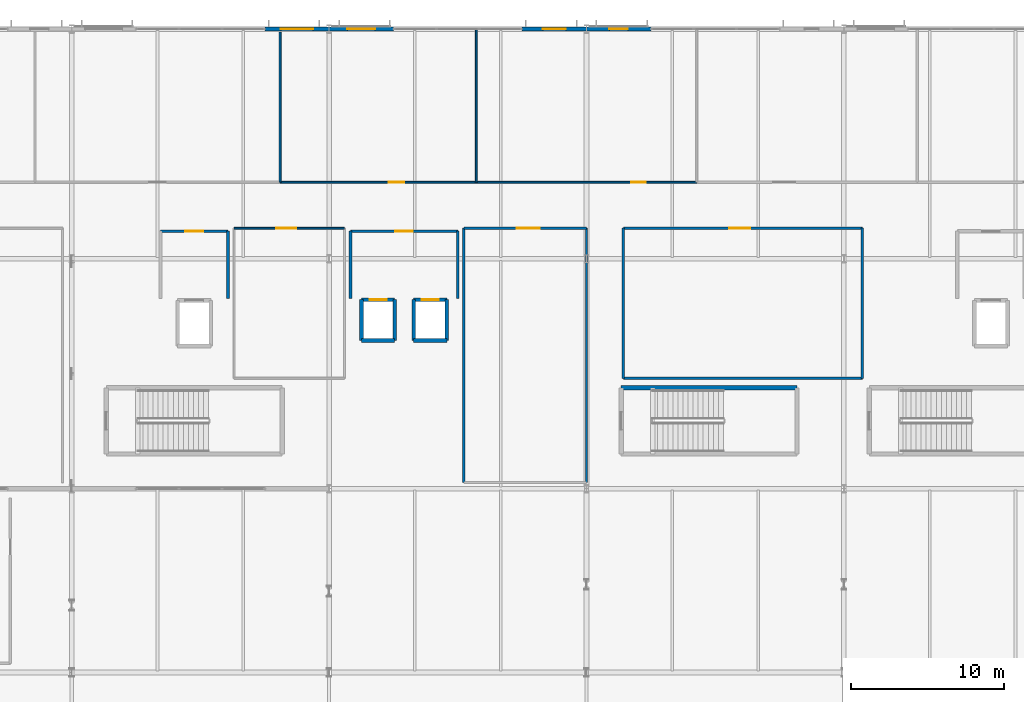
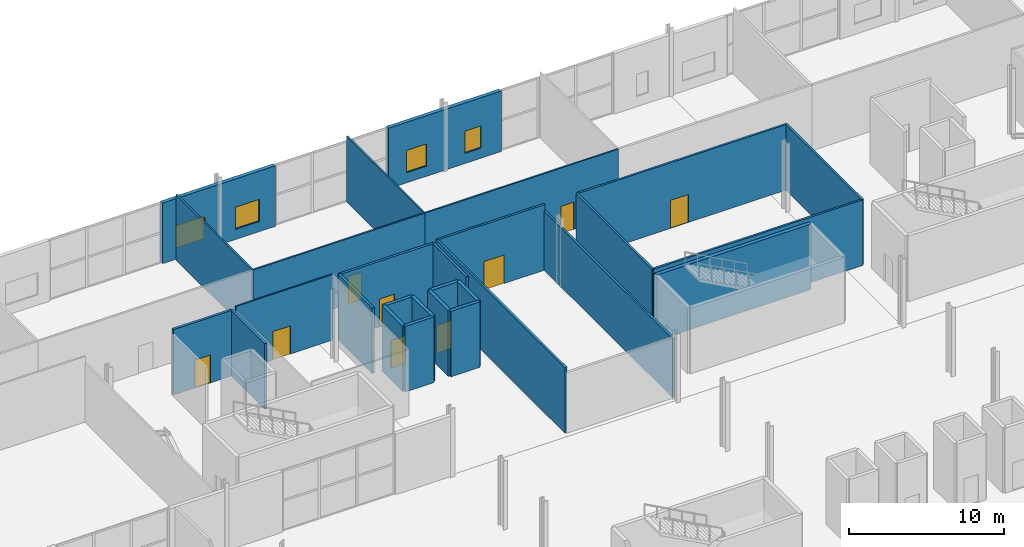
# One storey, part 63 of 84: 30 walls, 9 doors, 4 windows, 13 openings.
"""IFC4 building model written with IfcOpenShell, lengths in metres."""

from ifc_helpers import new_model, si_unit, direction, frame, frame_2d, origin, place, context, subcontext, project, spatial, rectangle, extrude, material, layer, layer_set, type_object, element, fill, save


model = new_model("IFC4")

# Units and contexts
model_context = context("Model", 3, precision=1e-05, world=origin(), true_north=direction((0.0, 1.0)))
body_context = subcontext(model_context, "Body", "Model", "MODEL_VIEW")
ifc_project = project(units=[si_unit("LENGTHUNIT", "METRE"), si_unit("AREAUNIT", "SQUARE_METRE"), si_unit("VOLUMEUNIT", "CUBIC_METRE"), si_unit("PLANEANGLEUNIT", "RADIAN"), si_unit("MASSUNIT", "GRAM", prefix="KILO")], contexts=[model_context])

# Site, building, storey
site_placement = place(None, origin())
site = spatial("IfcSite", under=ifc_project, at=site_placement, CompositionType="ELEMENT")
building_placement = place(site_placement, origin())
building = spatial("IfcBuilding", under=site, at=building_placement, Name="Kimbaza Rail Terminus", CompositionType="ELEMENT")
storey_placement = place(building_placement, frame((0.0, 0.0, 5.39990234375)))
storey = spatial("IfcBuildingStorey", under=building, at=storey_placement, Name="L01", CompositionType="ELEMENT", Elevation=5.39990234375)

# Wall, opening, window
ifc_material_1 = material(Name="Precast concrete C40/50", Category="concrete")
ifc_layer_1 = layer(ifc_material_1, 0.280029296875)
ifc_layer_set_1 = layer_set([ifc_layer_1], Name="Precast concrete C40/50")
wall_type_1 = type_object("IfcWallType", Name="ARC-WL-EXT280", PredefinedType="STANDARD", material=ifc_layer_set_1)
wall_1_placement = place(storey_placement, frame((84.60009765625, 133.0, 0.0), z_axis=(0.0, 0.0, 1.0), x_axis=(1.0, 0.0, 0.0)))
wall_1 = element("IfcWall", 1, at=wall_1_placement, inside=storey, type_object=wall_type_1, Name="Operations North Pier L01 1B", PredefinedType="STANDARD", context=body_context, shape_type="SweptSolid", body=[
    extrude(rectangle(XDim=4.199951171875, YDim=0.280029296875, at=frame_2d((2.10009765625, 0.0))), origin(), (0.0, 0.0, 1.0), 4.76513671875),
])
opening_1_placement = place(wall_1_placement, frame((1.050048828125, 0.0, 0.800048828125)))
opening_1 = element("IfcOpeningElement", 2, at=opening_1_placement, cuts=wall_1, Name="Opening W-11", PredefinedType="OPENING", context=body_context, shape_type="SweptSolid", body=[
    extrude(rectangle(XDim=2.10009765625, YDim=1.75, at=frame_2d((1.050048828125, 0.875))), frame((0.0, 0.14990234375, 0.0), z_axis=(0.0, -1.0, 0.0), x_axis=(1.0, 0.0, 0.0)), (0.0, 0.0, 1.0), 0.300048828125),
])
ifc_material_2 = material(Name="Thermally broken aluminium and solar low-E glass", Category="aluminium")
window_type_1 = type_object("IfcWindowType", Name="ARC-WIN-W-11", PartitioningType="SINGLE_PANEL", PredefinedType="WINDOW", material=ifc_material_2)
window_1_placement = place(opening_1_placement, origin())
window_1 = element("IfcWindow", 3, at=window_1_placement, inside=storey, type_object=window_type_1, Name="North Facade Window W-11", OverallHeight=1.75, OverallWidth=2.10009765625, PartitioningType="SINGLE_PANEL", PredefinedType="WINDOW", context=body_context, shape_type="SweptSolid", body=[
    extrude(rectangle(XDim=2.10009765625, YDim=1.75, at=frame_2d((1.050048828125, 0.875))), frame((0.0, 0.030029296875, 0.0), z_axis=(0.0, -1.0, 0.0), x_axis=(1.0, 0.0, 0.0)), (0.0, 0.0, 1.0), 0.06005859375),
])
fill(opening_1, window_1)

wall_2_placement = place(storey_placement, frame((88.800048828125, 133.0, 0.0), z_axis=(0.0, 0.0, 1.0), x_axis=(1.0, 0.0, 0.0)))
wall_2 = element("IfcWall", 4, at=wall_2_placement, inside=storey, type_object=wall_type_1, Name="Operations North Pier L01 2A", PredefinedType="STANDARD", context=body_context, shape_type="SweptSolid", body=[
    extrude(rectangle(XDim=4.199951171875, YDim=0.280029296875, at=frame_2d((2.10009765625, 0.0))), origin(), (0.0, 0.0, 1.0), 4.76513671875),
])
opening_2_placement = place(wall_2_placement, frame((1.199951171875, 0.0, 0.800048828125)))
opening_2 = element("IfcOpeningElement", 5, at=opening_2_placement, cuts=wall_2, Name="Opening W-12", PredefinedType="OPENING", context=body_context, shape_type="SweptSolid", body=[
    extrude(rectangle(XDim=1.800048828125, YDim=1.75, at=frame_2d((0.89990234375, 0.875))), frame((0.0, 0.14990234375, 0.0), z_axis=(0.0, -1.0, 0.0), x_axis=(1.0, 0.0, 0.0)), (0.0, 0.0, 1.0), 0.300048828125),
])
ifc_material_3 = material(Name="Thermally broken aluminium and solar low-E glass", Category="aluminium")
window_type_2 = type_object("IfcWindowType", Name="ARC-WIN-W-12", PartitioningType="SINGLE_PANEL", PredefinedType="WINDOW", material=ifc_material_3)
window_2_placement = place(opening_2_placement, origin())
window_2 = element("IfcWindow", 6, at=window_2_placement, inside=storey, type_object=window_type_2, Name="North Facade Window W-12", OverallHeight=1.75, OverallWidth=1.800048828125, PartitioningType="SINGLE_PANEL", PredefinedType="WINDOW", context=body_context, shape_type="SweptSolid", body=[
    extrude(rectangle(XDim=1.800048828125, YDim=1.75, at=frame_2d((0.89990234375, 0.875))), frame((0.0, 0.030029296875, 0.0), z_axis=(0.0, -1.0, 0.0), x_axis=(1.0, 0.0, 0.0)), (0.0, 0.0, 1.0), 0.06005859375),
])
fill(opening_2, window_2)

wall_3_placement = place(storey_placement, frame((101.39990234375, 133.0, 0.0), z_axis=(0.0, 0.0, 1.0), x_axis=(1.0, 0.0, 0.0)))
wall_3 = element("IfcWall", 7, at=wall_3_placement, inside=storey, type_object=wall_type_1, Name="Operations North Pier L01 2B", PredefinedType="STANDARD", context=body_context, shape_type="SweptSolid", body=[
    extrude(rectangle(XDim=4.2001953125, YDim=0.280029296875, at=frame_2d((2.10009765625, 0.0))), origin(), (0.0, 0.0, 1.0), 4.76513671875),
])
opening_3_placement = place(wall_3_placement, frame((1.35009765625, 0.0, 0.800048828125)))
opening_3 = element("IfcOpeningElement", 8, at=opening_3_placement, cuts=wall_3, Name="Opening W-13", PredefinedType="OPENING", context=body_context, shape_type="SweptSolid", body=[
    extrude(rectangle(XDim=1.5, YDim=1.75, at=frame_2d((0.75, 0.875))), frame((0.0, 0.14990234375, 0.0), z_axis=(0.0, -1.0, 0.0), x_axis=(1.0, 0.0, 0.0)), (0.0, 0.0, 1.0), 0.300048828125),
])
ifc_material_4 = material(Name="Thermally broken aluminium and solar low-E glass", Category="aluminium")
window_type_3 = type_object("IfcWindowType", Name="ARC-WIN-W-13", PartitioningType="SINGLE_PANEL", PredefinedType="WINDOW", material=ifc_material_4)
window_3_placement = place(opening_3_placement, origin())
window_3 = element("IfcWindow", 9, at=window_3_placement, inside=storey, type_object=window_type_3, Name="North Facade Window W-13", OverallHeight=1.75, OverallWidth=1.5, PartitioningType="SINGLE_PANEL", PredefinedType="WINDOW", context=body_context, shape_type="SweptSolid", body=[
    extrude(rectangle(XDim=1.5, YDim=1.75, at=frame_2d((0.75, 0.875))), frame((0.0, 0.030029296875, 0.0), z_axis=(0.0, -1.0, 0.0), x_axis=(1.0, 0.0, 0.0)), (0.0, 0.0, 1.0), 0.06005859375),
])
fill(opening_3, window_3)

wall_4_placement = place(storey_placement, frame((105.60009765625, 133.0, 0.0), z_axis=(0.0, 0.0, 1.0), x_axis=(1.0, 0.0, 0.0)))
wall_4 = element("IfcWall", 10, at=wall_4_placement, inside=storey, type_object=wall_type_1, Name="Operations North Pier L01 3A", PredefinedType="STANDARD", context=body_context, shape_type="SweptSolid", body=[
    extrude(rectangle(XDim=4.199951171875, YDim=0.280029296875, at=frame_2d((2.10009765625, 0.0))), origin(), (0.0, 0.0, 1.0), 4.76513671875),
])
opening_4_placement = place(wall_4_placement, frame((1.5, 0.0, 0.800048828125)))
opening_4 = element("IfcOpeningElement", 11, at=opening_4_placement, cuts=wall_4, Name="Opening W-14", PredefinedType="OPENING", context=body_context, shape_type="SweptSolid", body=[
    extrude(rectangle(XDim=1.199951171875, YDim=1.75, at=frame_2d((0.60009765625, 0.875))), frame((0.0, 0.14990234375, 0.0), z_axis=(0.0, -1.0, 0.0), x_axis=(1.0, 0.0, 0.0)), (0.0, 0.0, 1.0), 0.300048828125),
])
ifc_material_5 = material(Name="Thermally broken aluminium and solar low-E glass", Category="aluminium")
window_type_4 = type_object("IfcWindowType", Name="ARC-WIN-W-14", PartitioningType="SINGLE_PANEL", PredefinedType="WINDOW", material=ifc_material_5)
window_4_placement = place(opening_4_placement, origin())
window_4 = element("IfcWindow", 12, at=window_4_placement, inside=storey, type_object=window_type_4, Name="North Facade Window W-14", OverallHeight=1.75, OverallWidth=1.199951171875, PartitioningType="SINGLE_PANEL", PredefinedType="WINDOW", context=body_context, shape_type="SweptSolid", body=[
    extrude(rectangle(XDim=1.199951171875, YDim=1.75, at=frame_2d((0.60009765625, 0.875))), frame((0.0, 0.030029296875, 0.0), z_axis=(0.0, -1.0, 0.0), x_axis=(1.0, 0.0, 0.0)), (0.0, 0.0, 1.0), 0.06005859375),
])
fill(opening_4, window_4)

# Wall
ifc_material_6 = material(Name="Concrete blockwork C30/37", Category="masonry")
ifc_layer_2 = layer(ifc_material_6, 0.179931640625)
ifc_layer_set_2 = layer_set([ifc_layer_2], Name="Concrete blockwork C30/37")
wall_type_2 = type_object("IfcWallType", Name="ARC-WL-FIRE180", PredefinedType="PARTITIONING", material=ifc_layer_set_2)
wall_5_placement = place(storey_placement, frame((82.199951171875, 115.39990234375, 0.0), z_axis=(0.0, 0.0, 1.0), x_axis=(0.0, 1.0, 0.0)))
element("IfcWall", 13, at=wall_5_placement, inside=storey, type_object=wall_type_2, Name="Firefighting Lobby LF-01 Partition (east)", PredefinedType="PARTITIONING", context=body_context, shape_type="SweptSolid", body=[
    extrude(rectangle(XDim=4.400146484375, YDim=0.179931640625, at=frame_2d((2.2001953125, 0.0))), origin(), (0.0, 0.0, 1.0), 5.16015625),
])

# Wall, opening, door
wall_6_placement = place(storey_placement, frame((82.199951171875, 119.800048828125, 0.0), z_axis=(0.0, 0.0, 1.0), x_axis=(-1.0, 0.0, 0.0)))
wall_6 = element("IfcWall", 14, at=wall_6_placement, inside=storey, type_object=wall_type_2, Name="Firefighting Lobby LF-01 Partition (north)", PredefinedType="PARTITIONING", context=body_context, shape_type="SweptSolid", body=[
    extrude(rectangle(XDim=4.39990234375, YDim=0.179931640625, at=frame_2d((2.199951171875, 0.0))), origin(), (0.0, 0.0, 1.0), 5.16015625),
])
opening_5_placement = place(wall_6_placement, frame((2.77490234375, 0.0, 0.0), z_axis=(0.0, 0.0, 1.0), x_axis=(-1.0, 0.0, 0.0)))
opening_5 = element("IfcOpeningElement", 15, at=opening_5_placement, cuts=wall_6, Name="Opening FD-03", PredefinedType="OPENING", context=body_context, shape_type="SweptSolid", body=[
    extrude(rectangle(XDim=1.14990234375, YDim=2.199951171875, at=frame_2d((0.574951171875, 1.10009765625))), frame((0.0, 0.099853515625, 0.0), z_axis=(0.0, -1.0, 0.0), x_axis=(1.0, 0.0, 0.0)), (0.0, 0.0, 1.0), 0.199951171875),
])
ifc_material_7 = material(Name="Firefighting lobby self-closing steel door", Category="steel")
door_type_1 = type_object("IfcDoorType", Name="ARC-DR-FD115", OperationType="NOTDEFINED", PredefinedType="DOOR", material=ifc_material_7)
door_1_placement = place(opening_5_placement, origin())
door_1 = element("IfcDoor", 16, at=door_1_placement, inside=storey, type_object=door_type_1, Name="IDR-SPC-FFL-LF-01-L01", OperationType="SINGLE_SWING_LEFT", OverallHeight=2.199951171875, OverallWidth=1.14990234375, PredefinedType="DOOR", context=body_context, shape_type="SweptSolid", body=[
    extrude(rectangle(XDim=1.14990234375, YDim=2.199951171875, at=frame_2d((0.574951171875, 1.10009765625))), frame((0.0, 0.02490234375, 0.0), z_axis=(0.0, -1.0, 0.0), x_axis=(1.0, 0.0, 0.0)), (0.0, 0.0, 1.0), 0.050048828125),
])
fill(opening_5, door_1)

# Wall
wall_7_placement = place(storey_placement, frame((97.199951171875, 115.39990234375, 0.0), z_axis=(0.0, 0.0, 1.0), x_axis=(0.0, 1.0, 0.0)))
element("IfcWall", 17, at=wall_7_placement, inside=storey, type_object=wall_type_2, Name="Operations Lift Lobby L01 Partition (east)", PredefinedType="PARTITIONING", context=body_context, shape_type="SweptSolid", body=[
    extrude(rectangle(XDim=4.400146484375, YDim=0.179931640625, at=frame_2d((2.2001953125, 0.0))), origin(), (0.0, 0.0, 1.0), 5.16015625),
])

# Wall, opening, door
wall_8_placement = place(storey_placement, frame((97.199951171875, 119.800048828125, 0.0), z_axis=(0.0, 0.0, 1.0), x_axis=(-1.0, 0.0, 0.0)))
wall_8 = element("IfcWall", 18, at=wall_8_placement, inside=storey, type_object=wall_type_2, Name="Operations Lift Lobby L01 Partition (north)", PredefinedType="PARTITIONING", context=body_context, shape_type="SweptSolid", body=[
    extrude(rectangle(XDim=7.0, YDim=0.179931640625, at=frame_2d((3.5, 0.0))), origin(), (0.0, 0.0, 1.0), 5.16015625),
])
opening_6_placement = place(wall_8_placement, frame((2.925048828125, 0.0, 0.0)))
opening_6 = element("IfcOpeningElement", 19, at=opening_6_placement, cuts=wall_8, Name="Opening FD-03", PredefinedType="OPENING", context=body_context, shape_type="SweptSolid", body=[
    extrude(rectangle(XDim=1.14990234375, YDim=2.199951171875, at=frame_2d((0.574951171875, 1.10009765625))), frame((0.0, 0.099853515625, 0.0), z_axis=(0.0, -1.0, 0.0), x_axis=(1.0, 0.0, 0.0)), (0.0, 0.0, 1.0), 0.199951171875),
])
door_2_placement = place(opening_6_placement, origin())
door_2 = element("IfcDoor", 20, at=door_2_placement, inside=storey, type_object=door_type_1, Name="IDR-SPC-LLOB-V5-L01", OperationType="SINGLE_SWING_LEFT", OverallHeight=2.199951171875, OverallWidth=1.14990234375, PredefinedType="DOOR", context=body_context, shape_type="SweptSolid", body=[
    extrude(rectangle(XDim=1.14990234375, YDim=2.199951171875, at=frame_2d((0.574951171875, 1.10009765625))), frame((0.0, 0.02490234375, 0.0), z_axis=(0.0, -1.0, 0.0), x_axis=(1.0, 0.0, 0.0)), (0.0, 0.0, 1.0), 0.050048828125),
])
fill(opening_6, door_2)

# Wall
wall_9_placement = place(storey_placement, frame((90.199951171875, 119.800048828125, 0.0), z_axis=(0.0, 0.0, 1.0), x_axis=(0.0, -1.0, 0.0)))
element("IfcWall", 21, at=wall_9_placement, inside=storey, type_object=wall_type_2, Name="Operations Lift Lobby L01 Partition (west)", PredefinedType="PARTITIONING", context=body_context, shape_type="SweptSolid", body=[
    extrude(rectangle(XDim=4.400146484375, YDim=0.179931640625, at=frame_2d((2.2001953125, 0.0))), origin(), (0.0, 0.0, 1.0), 5.16015625),
])

# Wall, opening, door
ifc_material_8 = material(Name="Demountable acoustic glass wall", Category="glass")
ifc_layer_3 = layer(ifc_material_8, 0.110107421875)
ifc_layer_set_3 = layer_set([ifc_layer_3], Name="Demountable acoustic glass wall")
wall_type_3 = type_object("IfcWallType", Name="ARC-WL-MOV110", PredefinedType="MOVABLE", material=ifc_layer_set_3)
wall_10_placement = place(storey_placement, frame((98.39990234375, 123.0, 0.0), z_axis=(0.0, 0.0, 1.0), x_axis=(1.0, 0.0, 0.0)))
wall_10 = element("IfcWall", 22, at=wall_10_placement, inside=storey, type_object=wall_type_3, Name="Crew Quiet Rest Suite East Partition (south)", PredefinedType="MOVABLE", context=body_context, shape_type="SweptSolid", body=[
    extrude(rectangle(XDim=14.400146484375, YDim=0.110107421875, at=frame_2d((7.2001953125, 0.0))), origin(), (0.0, 0.0, 1.0), 5.16015625),
])
opening_7_placement = place(wall_10_placement, frame((10.125, 0.0, 0.0)))
opening_7 = element("IfcOpeningElement", 23, at=opening_7_placement, cuts=wall_10, Name="Opening ID-06", PredefinedType="OPENING", context=body_context, shape_type="SweptSolid", body=[
    extrude(rectangle(XDim=0.949951171875, YDim=2.14990234375, at=frame_2d((0.47509765625, 1.074951171875))), frame((0.0, 0.06494140625, 0.0), z_axis=(0.0, -1.0, 0.0), x_axis=(1.0, 0.0, 0.0)), (0.0, 0.0, 1.0), 0.130126953125),
])
ifc_material_9 = material(Name="Accessible washroom outward-capable door", Category="wood")
door_type_2 = type_object("IfcDoorType", Name="ARC-DR-ID095", OperationType="NOTDEFINED", PredefinedType="DOOR", material=ifc_material_9)
door_3_placement = place(opening_7_placement, origin())
door_3 = element("IfcDoor", 24, at=door_3_placement, inside=storey, type_object=door_type_2, Name="IDR-SPC-V5N-L01-04", OperationType="SINGLE_SWING_LEFT", OverallHeight=2.14990234375, OverallWidth=0.949951171875, PredefinedType="DOOR", context=body_context, shape_type="SweptSolid", body=[
    extrude(rectangle(XDim=0.949951171875, YDim=2.14990234375, at=frame_2d((0.47509765625, 1.074951171875))), frame((0.0, 0.02490234375, 0.0), z_axis=(0.0, -1.0, 0.0), x_axis=(1.0, 0.0, 0.0)), (0.0, 0.0, 1.0), 0.050048828125),
])
fill(opening_7, door_3)

wall_11_placement = place(storey_placement, frame((89.800048828125, 120.0, 0.0), z_axis=(0.0, 0.0, 1.0), x_axis=(-1.0, 0.0, 0.0)))
wall_11 = element("IfcWall", 25, at=wall_11_placement, inside=storey, type_object=wall_type_3, Name="L01 Traction Metering Workshop Partition (north)", PredefinedType="MOVABLE", context=body_context, shape_type="SweptSolid", body=[
    extrude(rectangle(XDim=7.199951171875, YDim=0.110107421875, at=frame_2d((3.60009765625, 0.0))), origin(), (0.0, 0.0, 1.0), 5.16015625),
])
opening_8_placement = place(wall_11_placement, frame((3.159912109375, 0.0, 0.0)))
opening_8 = element("IfcOpeningElement", 26, at=opening_8_placement, cuts=wall_11, Name="Opening ID-12", PredefinedType="OPENING", context=body_context, shape_type="SweptSolid", body=[
    extrude(rectangle(XDim=1.280029296875, YDim=2.219970703125, at=frame_2d((0.64013671875, 1.10986328125))), frame((0.0, 0.06494140625, 0.0), z_axis=(0.0, -1.0, 0.0), x_axis=(1.0, 0.0, 0.0)), (0.0, 0.0, 1.0), 0.130126953125),
])
ifc_material_10 = material(Name="Engineering studio double-seal door", Category="wood")
door_type_3 = type_object("IfcDoorType", Name="ARC-DR-ID128", OperationType="NOTDEFINED", PredefinedType="DOOR", material=ifc_material_10)
door_4_placement = place(opening_8_placement, origin())
door_4 = element("IfcDoor", 27, at=door_4_placement, inside=storey, type_object=door_type_3, Name="IDR-SPC-V5S-L01-2", OperationType="SINGLE_SWING_LEFT", OverallHeight=2.219970703125, OverallWidth=1.280029296875, PredefinedType="DOOR", context=body_context, shape_type="SweptSolid", body=[
    extrude(rectangle(XDim=1.280029296875, YDim=2.219970703125, at=frame_2d((0.64013671875, 1.10986328125))), frame((0.0, 0.02490234375, 0.0), z_axis=(0.0, -1.0, 0.0), x_axis=(1.0, 0.0, 0.0)), (0.0, 0.0, 1.0), 0.050048828125),
])
fill(opening_8, door_4)

ifc_material_11 = material(Name="Moisture-resistant stud wall", Category="gypsum")
ifc_layer_4 = layer(ifc_material_11, 0.1201171875)
ifc_layer_set_4 = layer_set([ifc_layer_4], Name="Moisture-resistant stud wall")
wall_type_4 = type_object("IfcWallType", Name="ARC-WL-PART120", PredefinedType="PARTITIONING", material=ifc_layer_set_4)
wall_12_placement = place(storey_placement, frame((85.60009765625, 123.0, 0.0), z_axis=(0.0, 0.0, 1.0), x_axis=(1.0, 0.0, 0.0)))
wall_12 = element("IfcWall", 28, at=wall_12_placement, inside=storey, type_object=wall_type_4, Name="Crew Quiet Rest Suite West Partition (south)", PredefinedType="PARTITIONING", context=body_context, shape_type="SweptSolid", body=[
    extrude(rectangle(XDim=12.7998046875, YDim=0.1201171875, at=frame_2d((6.39990234375, 0.0))), origin(), (0.0, 0.0, 1.0), 5.16015625),
])
opening_9_placement = place(wall_12_placement, frame((7.10009765625, 0.0, 0.0)))
opening_9 = element("IfcOpeningElement", 29, at=opening_9_placement, cuts=wall_12, Name="Opening ID-05", PredefinedType="OPENING", context=body_context, shape_type="SweptSolid", body=[
    extrude(rectangle(XDim=1.0, YDim=2.14990234375, at=frame_2d((0.5, 1.074951171875))), frame((0.0, 0.070068359375, 0.0), z_axis=(0.0, -1.0, 0.0), x_axis=(1.0, 0.0, 0.0)), (0.0, 0.0, 1.0), 0.14013671875),
])
ifc_material_12 = material(Name="Hardwood veneer staff room door", Category="wood")
door_type_4 = type_object("IfcDoorType", Name="ARC-DR-ID100", OperationType="NOTDEFINED", PredefinedType="DOOR", material=ifc_material_12)
door_5_placement = place(opening_9_placement, origin())
door_5 = element("IfcDoor", 30, at=door_5_placement, inside=storey, type_object=door_type_4, Name="IDR-SPC-V5N-L01-03", OperationType="SINGLE_SWING_RIGHT", OverallHeight=2.14990234375, OverallWidth=1.0, PredefinedType="DOOR", context=body_context, shape_type="SweptSolid", body=[
    extrude(rectangle(XDim=1.0, YDim=2.14990234375, at=frame_2d((0.5, 1.074951171875))), frame((0.0, 0.02490234375, 0.0), z_axis=(0.0, -1.0, 0.0), x_axis=(1.0, 0.0, 0.0)), (0.0, 0.0, 1.0), 0.050048828125),
])
fill(opening_9, door_5)

# Walls
wall_13_placement = place(storey_placement, frame((98.39990234375, 123.0, 0.0), z_axis=(0.0, 0.0, 1.0), x_axis=(0.0, 1.0, 0.0)))
element("IfcWall", 31, at=wall_13_placement, inside=storey, type_object=wall_type_4, Name="Crew Quiet Rest Suite West Partition (east)", PredefinedType="PARTITIONING", context=body_context, shape_type="SweptSolid", body=[
    extrude(rectangle(XDim=9.97998046875, YDim=0.1201171875, at=frame_2d((4.989990234375, 0.0))), origin(), (0.0, 0.0, 1.0), 5.16015625),
])
ifc_material_13 = material(Name="Acoustic gypsum stud partition", Category="gypsum")
ifc_layer_5 = layer(ifc_material_13, 0.1298828125)
ifc_layer_set_5 = layer_set([ifc_layer_5], Name="Acoustic gypsum stud partition")
wall_type_5 = type_object("IfcWallType", Name="ARC-WL-PART130", PredefinedType="PARTITIONING", material=ifc_layer_set_5)
wall_14_placement = place(storey_placement, frame((85.60009765625, 123.0, 0.0), z_axis=(0.0, 0.0, 1.0), x_axis=(0.0, 1.0, 0.0)))
element("IfcWall", 32, at=wall_14_placement, inside=storey, type_object=wall_type_5, Name="Conductors Roster and Dispatch Office Partition (east)", PredefinedType="PARTITIONING", context=body_context, shape_type="SweptSolid", body=[
    extrude(rectangle(XDim=9.800048828125, YDim=0.1298828125, at=frame_2d((4.89990234375, 0.0))), origin(), (0.0, 0.0, 1.0), 5.16015625),
])
ifc_material_14 = material(Name="Acoustic gypsum stud partition", Category="gypsum")
ifc_layer_6 = layer(ifc_material_14, 0.14990234375)
ifc_layer_set_6 = layer_set([ifc_layer_6], Name="Acoustic gypsum stud partition")
wall_type_6 = type_object("IfcWallType", Name="ARC-WL-PART150", PredefinedType="PARTITIONING", material=ifc_layer_set_6)
wall_15_placement = place(storey_placement, frame((108.0, 110.199951171875, 0.0), z_axis=(0.0, 0.0, 1.0), x_axis=(1.0, 0.0, 0.0)))
element("IfcWall", 33, at=wall_15_placement, inside=storey, type_object=wall_type_6, Name="L01 Rolling Stock Rostering Studio Partition (south)", PredefinedType="PARTITIONING", context=body_context, shape_type="SweptSolid", body=[
    extrude(rectangle(XDim=15.60009765625, YDim=0.14990234375, at=frame_2d((7.800048828125, 0.0))), origin(), (0.0, 0.0, 1.0), 5.16015625),
])
wall_16_placement = place(storey_placement, frame((123.60009765625, 110.199951171875, 0.0), z_axis=(0.0, 0.0, 1.0), x_axis=(0.0, 1.0, 0.0)))
element("IfcWall", 34, at=wall_16_placement, inside=storey, type_object=wall_type_6, Name="L01 Rolling Stock Rostering Studio Partition (east)", PredefinedType="PARTITIONING", context=body_context, shape_type="SweptSolid", body=[
    extrude(rectangle(XDim=9.800048828125, YDim=0.14990234375, at=frame_2d((4.89990234375, 0.0))), origin(), (0.0, 0.0, 1.0), 5.16015625),
])

# Wall, opening, door
wall_17_placement = place(storey_placement, frame((123.60009765625, 120.0, 0.0), z_axis=(0.0, 0.0, 1.0), x_axis=(-1.0, 0.0, 0.0)))
wall_17 = element("IfcWall", 35, at=wall_17_placement, inside=storey, type_object=wall_type_6, Name="L01 Rolling Stock Rostering Studio Partition (north)", PredefinedType="PARTITIONING", context=body_context, shape_type="SweptSolid", body=[
    extrude(rectangle(XDim=15.60009765625, YDim=0.14990234375, at=frame_2d((7.800048828125, 0.0))), origin(), (0.0, 0.0, 1.0), 5.16015625),
])
opening_10_placement = place(wall_17_placement, frame((7.324951171875, 0.0, 0.0)))
opening_10 = element("IfcOpeningElement", 36, at=opening_10_placement, cuts=wall_17, Name="Opening ID-02", PredefinedType="OPENING", context=body_context, shape_type="SweptSolid", body=[
    extrude(rectangle(XDim=1.35009765625, YDim=2.199951171875, at=frame_2d((0.675048828125, 1.10009765625))), frame((0.0, 0.0849609375, 0.0), z_axis=(0.0, -1.0, 0.0), x_axis=(1.0, 0.0, 0.0)), (0.0, 0.0, 1.0), 0.169921875),
])
ifc_material_15 = material(Name="Anodised aluminium glazed lounge door", Category="aluminium")
door_type_5 = type_object("IfcDoorType", Name="ARC-DR-ID135", OperationType="NOTDEFINED", PredefinedType="DOOR", material=ifc_material_15)
door_6_placement = place(opening_10_placement, origin())
door_6 = element("IfcDoor", 37, at=door_6_placement, inside=storey, type_object=door_type_5, Name="IDR-SPC-V5S-L01-4", OperationType="SINGLE_SWING_LEFT", OverallHeight=2.199951171875, OverallWidth=1.35009765625, PredefinedType="DOOR", context=body_context, shape_type="SweptSolid", body=[
    extrude(rectangle(XDim=1.35009765625, YDim=2.199951171875, at=frame_2d((0.675048828125, 1.10009765625))), frame((0.0, 0.02490234375, 0.0), z_axis=(0.0, -1.0, 0.0), x_axis=(1.0, 0.0, 0.0)), (0.0, 0.0, 1.0), 0.050048828125),
])
fill(opening_10, door_6)

# Walls
wall_18_placement = place(storey_placement, frame((108.0, 120.0, 0.0), z_axis=(0.0, 0.0, 1.0), x_axis=(0.0, -1.0, 0.0)))
element("IfcWall", 38, at=wall_18_placement, inside=storey, type_object=wall_type_6, Name="L01 Rolling Stock Rostering Studio Partition (west)", PredefinedType="PARTITIONING", context=body_context, shape_type="SweptSolid", body=[
    extrude(rectangle(XDim=9.800048828125, YDim=0.14990234375, at=frame_2d((4.89990234375, 0.0))), origin(), (0.0, 0.0, 1.0), 5.16015625),
])
ifc_material_16 = material(Name="Acoustic gypsum stud partition", Category="gypsum")
ifc_layer_7 = layer(ifc_material_16, 0.159912109375)
ifc_layer_set_7 = layer_set([ifc_layer_7], Name="Acoustic gypsum stud partition")
wall_type_7 = type_object("IfcWallType", Name="ARC-WL-PART160", PredefinedType="PARTITIONING", material=ifc_layer_set_7)
wall_19_placement = place(storey_placement, frame((105.60009765625, 103.39990234375, 0.0), z_axis=(0.0, 0.0, 1.0), x_axis=(0.0, 1.0, 0.0)))
element("IfcWall", 39, at=wall_19_placement, inside=storey, type_object=wall_type_7, Name="L01 Network Dispatch Briefing Room Partition (east)", PredefinedType="PARTITIONING", context=body_context, shape_type="SweptSolid", body=[
    extrude(rectangle(XDim=16.60009765625, YDim=0.159912109375, at=frame_2d((8.300048828125, 0.0))), origin(), (0.0, 0.0, 1.0), 4.655029296875),
])

# Wall, opening, door
wall_20_placement = place(storey_placement, frame((105.60009765625, 120.0, 0.0), z_axis=(0.0, 0.0, 1.0), x_axis=(-1.0, 0.0, 0.0)))
wall_20 = element("IfcWall", 40, at=wall_20_placement, inside=storey, type_object=wall_type_7, Name="L01 Network Dispatch Briefing Room Partition (north)", PredefinedType="PARTITIONING", context=body_context, shape_type="SweptSolid", body=[
    extrude(rectangle(XDim=8.0, YDim=0.159912109375, at=frame_2d((4.0, 0.0))), origin(), (0.0, 0.0, 1.0), 5.16015625),
])
opening_11_placement = place(wall_20_placement, frame((4.550048828125, 0.0, 0.0), z_axis=(0.0, 0.0, 1.0), x_axis=(-1.0, 0.0, 0.0)))
opening_11 = element("IfcOpeningElement", 41, at=opening_11_placement, cuts=wall_20, Name="Opening ID-01", PredefinedType="OPENING", context=body_context, shape_type="SweptSolid", body=[
    extrude(rectangle(XDim=1.5, YDim=2.25, at=frame_2d((0.75, 1.125))), frame((0.0, 0.08984375, 0.0), z_axis=(0.0, -1.0, 0.0), x_axis=(1.0, 0.0, 0.0)), (0.0, 0.0, 1.0), 0.179931640625),
])
ifc_material_17 = material(Name="Anodised aluminium glazed concourse door", Category="aluminium")
door_type_6 = type_object("IfcDoorType", Name="ARC-DR-ID150", OperationType="NOTDEFINED", PredefinedType="DOOR", material=ifc_material_17)
door_7_placement = place(opening_11_placement, origin())
door_7 = element("IfcDoor", 42, at=door_7_placement, inside=storey, type_object=door_type_6, Name="IDR-SPC-V5S-L01-3", OperationType="SINGLE_SWING_RIGHT", OverallHeight=2.25, OverallWidth=1.5, PredefinedType="DOOR", context=body_context, shape_type="SweptSolid", body=[
    extrude(rectangle(XDim=1.5, YDim=2.25, at=frame_2d((0.75, 1.125))), frame((0.0, 0.02490234375, 0.0), z_axis=(0.0, -1.0, 0.0), x_axis=(1.0, 0.0, 0.0)), (0.0, 0.0, 1.0), 0.050048828125),
])
fill(opening_11, door_7)

# Walls
wall_21_placement = place(storey_placement, frame((97.60009765625, 120.0, 0.0), z_axis=(0.0, 0.0, 1.0), x_axis=(0.0, -1.0, 0.0)))
element("IfcWall", 43, at=wall_21_placement, inside=storey, type_object=wall_type_7, Name="L01 Network Dispatch Briefing Room Partition (west)", PredefinedType="PARTITIONING", context=body_context, shape_type="SweptSolid", body=[
    extrude(rectangle(XDim=16.60009765625, YDim=0.159912109375, at=frame_2d((8.300048828125, 0.0))), origin(), (0.0, 0.0, 1.0), 5.16015625),
])
ifc_material_18 = material(Name="Concrete C40/50", Category="concrete")
ifc_layer_8 = layer(ifc_material_18, 0.25)
ifc_layer_set_8 = layer_set([ifc_layer_8], Name="Concrete C40/50")
wall_type_8 = type_object("IfcWallType", Name="STR-WL-CORE250", PredefinedType="SHEAR", material=ifc_layer_set_8)
wall_22_placement = place(storey_placement, frame((90.919921875, 112.669921875, 0.0), z_axis=(0.0, 0.0, 1.0), x_axis=(1.0, 0.0, 0.0)))
element("IfcWall", 44, at=wall_22_placement, inside=storey, type_object=wall_type_8, Name="Lift Shaft Wall LP-08 L01-1", PredefinedType="SHEAR", context=body_context, shape_type="SweptSolid", body=[
    extrude(rectangle(XDim=2.16015625, YDim=0.25, at=frame_2d((1.080078125, 0.0))), origin(), (0.0, 0.0, 1.0), 5.16015625),
])
wall_23_placement = place(storey_placement, frame((93.080078125, 112.669921875, 0.0), z_axis=(0.0, 0.0, 1.0), x_axis=(0.0, 1.0, 0.0)))
element("IfcWall", 45, at=wall_23_placement, inside=storey, type_object=wall_type_8, Name="Lift Shaft Wall LP-08 L01-2", PredefinedType="SHEAR", context=body_context, shape_type="SweptSolid", body=[
    extrude(rectangle(XDim=2.66015625, YDim=0.25, at=frame_2d((1.330078125, 0.0))), origin(), (0.0, 0.0, 1.0), 5.16015625),
])

# Wall, opening, door
wall_24_placement = place(storey_placement, frame((93.080078125, 115.330078125, 0.0), z_axis=(0.0, 0.0, 1.0), x_axis=(-1.0, 0.0, 0.0)))
wall_24 = element("IfcWall", 46, at=wall_24_placement, inside=storey, type_object=wall_type_8, Name="Lift Shaft Wall LP-08 L01-3", PredefinedType="SHEAR", context=body_context, shape_type="SweptSolid", body=[
    extrude(rectangle(XDim=2.16015625, YDim=0.25, at=frame_2d((1.080078125, 0.0))), origin(), (0.0, 0.0, 1.0), 5.16015625),
])
opening_12_placement = place(wall_24_placement, frame((0.530029296875, 0.0, 0.0)))
opening_12 = element("IfcOpeningElement", 47, at=opening_12_placement, cuts=wall_24, Name="Opening LD-01", PredefinedType="OPENING", context=body_context, shape_type="SweptSolid", body=[
    extrude(rectangle(XDim=1.10009765625, YDim=2.199951171875, at=frame_2d((0.550048828125, 1.10009765625))), frame((0.0, 0.135009765625, 0.0), z_axis=(0.0, -1.0, 0.0), x_axis=(1.0, 0.0, 0.0)), (0.0, 0.0, 1.0), 0.27001953125),
])
ifc_material_19 = material(Name="Brushed stainless steel sliding landing door", Category="steel")
door_type_7 = type_object("IfcDoorType", Name="ARC-DR-LD110", OperationType="NOTDEFINED", PredefinedType="DOOR", material=ifc_material_19)
door_8_placement = place(opening_12_placement, origin())
door_8 = element("IfcDoor", 48, at=door_8_placement, inside=storey, type_object=door_type_7, Name="LDR-LP-08-L01", OperationType="SLIDING_TO_LEFT", OverallHeight=2.199951171875, OverallWidth=1.10009765625, PredefinedType="DOOR", context=body_context, shape_type="SweptSolid", body=[
    extrude(rectangle(XDim=1.10009765625, YDim=2.199951171875, at=frame_2d((0.550048828125, 1.10009765625))), frame((0.0, 0.02490234375, 0.0), z_axis=(0.0, -1.0, 0.0), x_axis=(1.0, 0.0, 0.0)), (0.0, 0.0, 1.0), 0.050048828125),
])
fill(opening_12, door_8)

# Walls
wall_25_placement = place(storey_placement, frame((90.919921875, 115.330078125, 0.0), z_axis=(0.0, 0.0, 1.0), x_axis=(0.0, -1.0, 0.0)))
element("IfcWall", 49, at=wall_25_placement, inside=storey, type_object=wall_type_8, Name="Lift Shaft Wall LP-08 L01-4", PredefinedType="SHEAR", context=body_context, shape_type="SweptSolid", body=[
    extrude(rectangle(XDim=2.66015625, YDim=0.25, at=frame_2d((1.330078125, 0.0))), origin(), (0.0, 0.0, 1.0), 5.16015625),
])
wall_26_placement = place(storey_placement, frame((94.320068359375, 112.669921875, 0.0), z_axis=(0.0, 0.0, 1.0), x_axis=(1.0, 0.0, 0.0)))
element("IfcWall", 50, at=wall_26_placement, inside=storey, type_object=wall_type_8, Name="Lift Shaft Wall LP-09 L01-1", PredefinedType="SHEAR", context=body_context, shape_type="SweptSolid", body=[
    extrude(rectangle(XDim=2.159912109375, YDim=0.25, at=frame_2d((1.080078125, 0.0))), origin(), (0.0, 0.0, 1.0), 5.16015625),
])
wall_27_placement = place(storey_placement, frame((96.47998046875, 112.669921875, 0.0), z_axis=(0.0, 0.0, 1.0), x_axis=(0.0, 1.0, 0.0)))
element("IfcWall", 51, at=wall_27_placement, inside=storey, type_object=wall_type_8, Name="Lift Shaft Wall LP-09 L01-2", PredefinedType="SHEAR", context=body_context, shape_type="SweptSolid", body=[
    extrude(rectangle(XDim=2.66015625, YDim=0.25, at=frame_2d((1.330078125, 0.0))), origin(), (0.0, 0.0, 1.0), 5.16015625),
])

# Wall, opening, door
wall_28_placement = place(storey_placement, frame((96.47998046875, 115.330078125, 0.0), z_axis=(0.0, 0.0, 1.0), x_axis=(-1.0, 0.0, 0.0)))
wall_28 = element("IfcWall", 52, at=wall_28_placement, inside=storey, type_object=wall_type_8, Name="Lift Shaft Wall LP-09 L01-3", PredefinedType="SHEAR", context=body_context, shape_type="SweptSolid", body=[
    extrude(rectangle(XDim=2.159912109375, YDim=0.25, at=frame_2d((1.080078125, 0.0))), origin(), (0.0, 0.0, 1.0), 5.16015625),
])
opening_13_placement = place(wall_28_placement, frame((0.530029296875, 0.0, 0.0)))
opening_13 = element("IfcOpeningElement", 53, at=opening_13_placement, cuts=wall_28, Name="Opening LD-01", PredefinedType="OPENING", context=body_context, shape_type="SweptSolid", body=[
    extrude(rectangle(XDim=1.10009765625, YDim=2.199951171875, at=frame_2d((0.550048828125, 1.10009765625))), frame((0.0, 0.135009765625, 0.0), z_axis=(0.0, -1.0, 0.0), x_axis=(1.0, 0.0, 0.0)), (0.0, 0.0, 1.0), 0.27001953125),
])
door_9_placement = place(opening_13_placement, origin())
door_9 = element("IfcDoor", 54, at=door_9_placement, inside=storey, type_object=door_type_7, Name="LDR-LP-09-L01", OperationType="SLIDING_TO_LEFT", OverallHeight=2.199951171875, OverallWidth=1.10009765625, PredefinedType="DOOR", context=body_context, shape_type="SweptSolid", body=[
    extrude(rectangle(XDim=1.10009765625, YDim=2.199951171875, at=frame_2d((0.550048828125, 1.10009765625))), frame((0.0, 0.02490234375, 0.0), z_axis=(0.0, -1.0, 0.0), x_axis=(1.0, 0.0, 0.0)), (0.0, 0.0, 1.0), 0.050048828125),
])
fill(opening_13, door_9)

# Walls
wall_29_placement = place(storey_placement, frame((94.320068359375, 115.330078125, 0.0), z_axis=(0.0, 0.0, 1.0), x_axis=(0.0, -1.0, 0.0)))
element("IfcWall", 55, at=wall_29_placement, inside=storey, type_object=wall_type_8, Name="Lift Shaft Wall LP-09 L01-4", PredefinedType="SHEAR", context=body_context, shape_type="SweptSolid", body=[
    extrude(rectangle(XDim=2.66015625, YDim=0.25, at=frame_2d((1.330078125, 0.0))), origin(), (0.0, 0.0, 1.0), 5.16015625),
])
ifc_material_20 = material(Name="Concrete C40/50", Category="concrete")
ifc_layer_9 = layer(ifc_material_20, 0.280029296875)
ifc_layer_set_9 = layer_set([ifc_layer_9], Name="Concrete C40/50")
wall_type_9 = type_object("IfcWallType", Name="STR-WL-CORE280", PredefinedType="SHEAR", material=ifc_layer_set_9)
wall_30_placement = place(storey_placement, frame((119.340087890625, 109.580078125, 0.0), z_axis=(0.0, 0.0, 1.0), x_axis=(-1.0, 0.0, 0.0)))
element("IfcWall", 56, at=wall_30_placement, inside=storey, type_object=wall_type_9, Name="Operations Central Exit Stair Shaft Wall L01-3", PredefinedType="SHEAR", context=body_context, shape_type="SweptSolid", body=[
    extrude(rectangle(XDim=11.47998046875, YDim=0.280029296875, at=frame_2d((5.739990234375, 0.0))), origin(), (0.0, 0.0, 1.0), 5.16015625),
])

save(model, "model.ifc")
